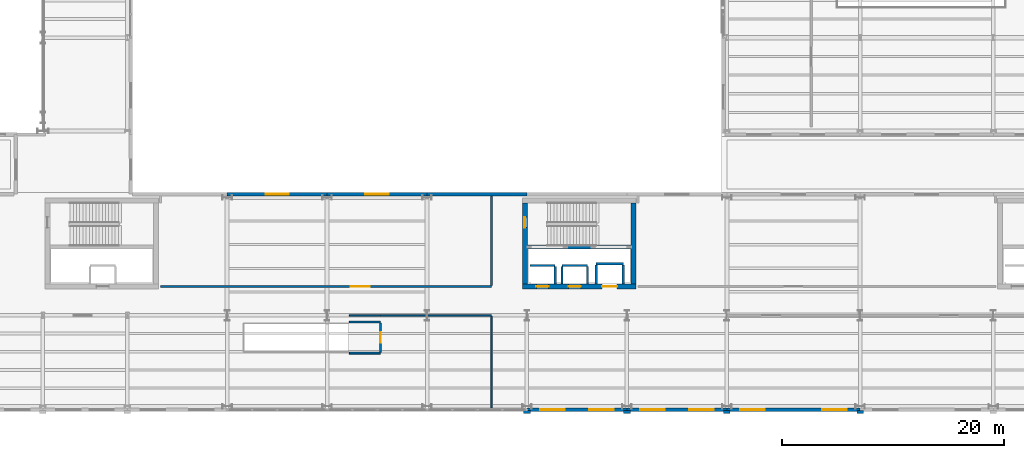
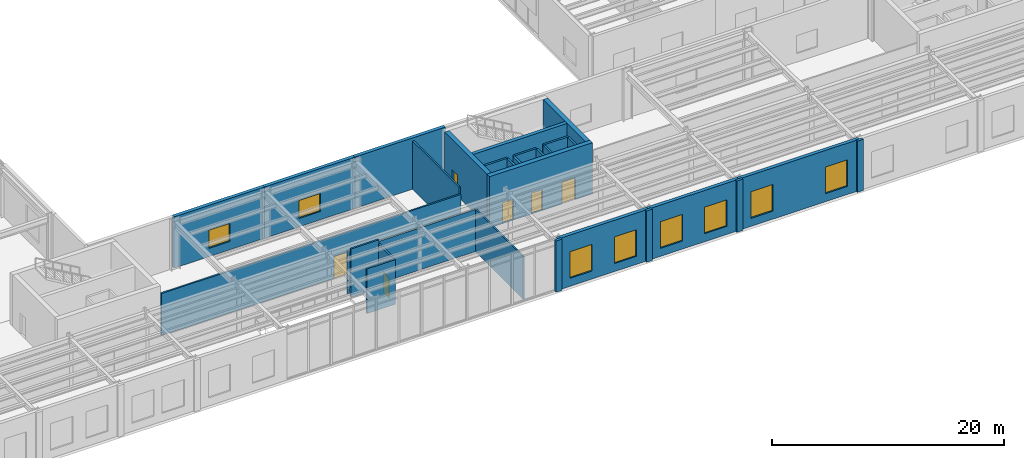
# One storey, part 76 of 98: 30 walls, 8 windows, 6 doors, 14 openings.
"""IFC4 building model written with IfcOpenShell, lengths in metres."""

import ifcopenshell
import ifcopenshell.guid

model = None  # the IFC model being written
_history = None  # IfcOwnerHistory: only IFC2X3 demands one
_inside = {}  # id of a spatial element -> (the spatial element, [elements in it])
_under = {}  # id of a project, library or spatial element -> (it, [spatial elements below it])
_declared = {}  # id of a project -> (the project, [libraries it declares])
_typed = {}  # id of a type object -> (the type object, [elements of that type])
_made_of = {}  # id of a material, layer set ... -> (it, [elements and type objects made of it])


def new_model(schema):
    """Start an empty IFC model of exactly this schema.

    Asked for "IFC4X3", IfcOpenShell would pick the latest addendum, in which some entities
    have other attributes; the version numbers below select the first issue.
    IFC2X3 requires an IfcOwnerHistory on every rooted entity: one is made here for all.
    """
    global model, _history
    if schema == "IFC4X3":
        model = ifcopenshell.file(schema_version=(4, 3, 0, 0))
    else:
        model = ifcopenshell.file(schema=schema)
    _inside.clear()
    _under.clear()
    _declared.clear()
    _typed.clear()
    _made_of.clear()
    _history = None
    if model.schema == "IFC2X3":
        org = make("IfcOrganization", Name="unknown")
        user = make(
            "IfcPersonAndOrganization",
            ThePerson=make("IfcPerson", FamilyName="unknown"),
            TheOrganization=org,
        )
        app = make(
            "IfcApplication",
            ApplicationDeveloper=org,
            Version="unknown",
            ApplicationFullName="unknown",
            ApplicationIdentifier="unknown",
        )
        _history = make(
            "IfcOwnerHistory",
            OwningUser=user,
            OwningApplication=app,
            ChangeAction="ADDED",
            CreationDate=0,
        )
    return model


def make(cls, **values):
    """One entity of the class cls with the attributes given. An attribute that is None is left unset."""
    return model.create_entity(
        cls, **{name: value for name, value in values.items() if value is not None}
    )


def rooted(cls, **values):
    """An entity with a GlobalId (a new one), such as an element, a storey or a relation."""
    return make(cls, GlobalId=ifcopenshell.guid.new(), OwnerHistory=_history, **values)


def si_unit(unit_type, name, prefix=None):
    """IfcSIUnit, for example si_unit("LENGTHUNIT", "METRE", prefix="MILLI")."""
    return make("IfcSIUnit", UnitType=unit_type, Prefix=prefix, Name=name)


def assignment(units):
    """IfcUnitAssignment: the units of a project."""
    return None if units is None else make("IfcUnitAssignment", Units=units)


def point(xyz):
    """IfcCartesianPoint."""
    return None if xyz is None else make("IfcCartesianPoint", Coordinates=xyz)


def direction(xyz):
    """IfcDirection."""
    return None if xyz is None else make("IfcDirection", DirectionRatios=xyz)


def frame(location, z_axis=None, x_axis=None):
    """IfcAxis2Placement3D, a coordinate frame: its origin and axes. An axis left out is left unset."""
    return make(
        "IfcAxis2Placement3D",
        Location=point(location),
        Axis=direction(z_axis),
        RefDirection=direction(x_axis),
    )


def frame_2d(location, x_axis=None):
    """IfcAxis2Placement2D, a coordinate frame in the plane: its origin and x axis."""
    return make(
        "IfcAxis2Placement2D", Location=point(location), RefDirection=direction(x_axis)
    )


def origin():
    """The frame at (0, 0, 0) with its axes left unset."""
    return frame((0.0, 0.0, 0.0))


def place(relative_to, where):
    """IfcLocalPlacement: puts the frame where relative to a parent placement (None: the world)."""
    return make(
        "IfcLocalPlacement", PlacementRelTo=relative_to, RelativePlacement=where
    )


def context(
    kind, dimensions, precision=None, world=None, true_north=None, identifier=None
):
    """IfcGeometricRepresentationContext, for example the 3D "Model" context."""
    return make(
        "IfcGeometricRepresentationContext",
        ContextIdentifier=identifier,
        ContextType=kind,
        CoordinateSpaceDimension=dimensions,
        Precision=precision,
        WorldCoordinateSystem=world,
        TrueNorth=true_north,
    )


def subcontext(parent, identifier, kind, view, scale=None):
    """IfcGeometricRepresentationSubContext, for example "Body" below "Model"."""
    return make(
        "IfcGeometricRepresentationSubContext",
        ContextIdentifier=identifier,
        ContextType=kind,
        ParentContext=parent,
        TargetScale=scale,
        TargetView=view,
    )


def project(units=None, contexts=None):
    """IfcProject with its units and contexts."""
    return rooted(
        "IfcProject",
        Name="project",
        RepresentationContexts=contexts,
        UnitsInContext=assignment(units),
    )


def spatial(cls, under=None, at=None, **own):
    """A site, building, storey or space (cls), placed at a placement, below another one or the project."""
    s = rooted(cls, ObjectPlacement=at, **own)
    if under is not None:
        _under.setdefault(under.id(), (under, []))[1].append(s)
    return s


def profile(cls, at=None, kind="AREA", **sizes):
    """A parametric profile (cls). Its sizes go by their IFC names, for example OverallWidth=200.0."""
    return make(cls, ProfileType=kind, Position=at, **sizes)


def rectangle(**sizes):
    """IfcRectangleProfileDef."""
    return profile("IfcRectangleProfileDef", **sizes)


def extrude(swept, where, along, depth):
    """IfcExtrudedAreaSolid: the profile swept, set in the frame where, extruded along a direction by depth."""
    return make(
        "IfcExtrudedAreaSolid",
        SweptArea=swept,
        Position=where,
        ExtrudedDirection=direction(along),
        Depth=depth,
    )


def shape(context_of_items, identifier, shape_type, items):
    """IfcShapeRepresentation: the items that make up one representation, for example the "Body"."""
    return make(
        "IfcShapeRepresentation",
        ContextOfItems=context_of_items,
        RepresentationIdentifier=identifier,
        RepresentationType=shape_type,
        Items=items,
    )


def material(Name=None, Category=None):
    """IfcMaterial."""
    return make("IfcMaterial", Name=Name, Category=Category)


def layer(
    of_material, thickness, ventilated=None, Name=None, Category=None, Priority=None
):
    """IfcMaterialLayer: one layer of a wall or slab, of a material (None: an air gap)."""
    return make(
        "IfcMaterialLayer",
        Material=of_material,
        LayerThickness=thickness,
        IsVentilated=ventilated,
        Name=Name,
        Category=Category,
        Priority=Priority,
    )


def layer_set(layers, Name=None):
    """IfcMaterialLayerSet."""
    return make("IfcMaterialLayerSet", MaterialLayers=layers, LayerSetName=Name)


def made_of(thing, what):
    """Note that an element or type object is made of a material, layer set ...; save() writes the relation."""
    if what is not None:
        _made_of.setdefault(what.id(), (what, []))[1].append(thing)
    return thing


def type_object(cls, material=None, **own):
    """A type object (cls), such as IfcWallType, which elements share."""
    return made_of(rooted(cls, **own), material)


def element(
    cls,
    number,
    at=None,
    inside=None,
    cuts=None,
    type_object=None,
    material=None,
    context=None,
    identifier="Body",
    shape_type=None,
    held_by="IfcProductDefinitionShape",
    body=None,
    shapes=None,
    **own,
):
    """One element of the class cls, such as IfcWall. Its Tag is "e" and its number.

    at: its placement. inside: the storey or other place that contains it. cuts: it is an
    opening in that element (IfcRelVoidsElement). A single representation is given by context,
    identifier, shape_type and body (its items); several are given by shapes. held_by: the class
    of the entity that holds the representations. save() writes the other relations.
    """
    e = rooted(cls, Tag="e%d" % number, ObjectPlacement=at, **own)
    if body is not None:
        shapes = [shape(context, identifier, shape_type, body)]
    if shapes is not None:
        e.Representation = make(held_by, Representations=shapes)
    if inside is not None:
        _inside.setdefault(inside.id(), (inside, []))[1].append(e)
    if cuts is not None:
        rooted(
            "IfcRelVoidsElement", RelatingBuildingElement=cuts, RelatedOpeningElement=e
        )
    if type_object is not None:
        _typed.setdefault(type_object.id(), (type_object, []))[1].append(e)
    return made_of(e, material)


def fill(opening, filler):
    """IfcRelFillsElement: the door or window that sits in an opening."""
    return rooted(
        "IfcRelFillsElement",
        RelatingOpeningElement=opening,
        RelatedBuildingElement=filler,
    )


def aggregate(whole, parts):
    """IfcRelAggregates: a whole, such as a stair, and the parts it consists of."""
    return rooted("IfcRelAggregates", RelatingObject=whole, RelatedObjects=parts)


def save(model, path):
    """Write the relations noted so far, then the file.

    IfcRelAggregates (storeys below a building ...), IfcRelContainedInSpatialStructure (elements
    in a storey), IfcRelDefinesByType, IfcRelAssociatesMaterial and IfcRelDeclares: one each for
    every whole, place, type object, material and project.
    """
    for whole, parts in _under.values():
        aggregate(whole, parts)
    for where, things in _inside.values():
        rooted(
            "IfcRelContainedInSpatialStructure",
            RelatedElements=things,
            RelatingStructure=where,
        )
    for kind, things in _typed.values():
        rooted("IfcRelDefinesByType", RelatedObjects=things, RelatingType=kind)
    for what, things in _made_of.values():
        rooted("IfcRelAssociatesMaterial", RelatedObjects=things, RelatingMaterial=what)
    for by, libraries in _declared.values():
        rooted("IfcRelDeclares", RelatingContext=by, RelatedDefinitions=libraries)
    model.write(path)


model = new_model("IFC4")

# Units and contexts
model_context = context("Model", 3, precision=1e-05, world=origin(), true_north=direction((0.0, 1.0)))
body_context = subcontext(model_context, "Body", "Model", "MODEL_VIEW")
ifc_project = project(units=[si_unit("LENGTHUNIT", "METRE"), si_unit("AREAUNIT", "SQUARE_METRE"), si_unit("VOLUMEUNIT", "CUBIC_METRE"), si_unit("PLANEANGLEUNIT", "RADIAN"), si_unit("MASSUNIT", "GRAM", prefix="KILO")], contexts=[model_context])

# Site, building, storey
site_placement = place(None, origin())
site = spatial("IfcSite", under=ifc_project, at=site_placement, CompositionType="ELEMENT")
building_placement = place(site_placement, origin())
building = spatial("IfcBuilding", under=site, at=building_placement, Name="Sollismere Congress Hotel", CompositionType="ELEMENT")
storey_placement = place(building_placement, frame((0.0, 0.0, 5.39990234375)))
storey = spatial("IfcBuildingStorey", under=building, at=storey_placement, Name="L01", CompositionType="ELEMENT", Elevation=5.39990234375)

# Wall, openings, windows
ifc_material_1 = material(Name="Colorado Buff Sandstone and Limestone Backup C40/50", Category="masonry")
ifc_layer_1 = layer(ifc_material_1, 0.340087890625, Name="Colorado Buff Sandstone and Limestone Backup C40/50")
ifc_layer_set_1 = layer_set([ifc_layer_1], Name="Colorado Buff Sandstone and Limestone Backup C40/50")
wall_type_1 = type_object("IfcWallType", Name="WL-EXT340", PredefinedType="STANDARD", material=ifc_layer_set_1)
wall_1_placement = place(storey_placement, frame((94.0, -0.31005859375, 0.0), z_axis=(0.0, 0.0, 1.0), x_axis=(1.0, 0.0, 0.0)))
wall_1 = element("IfcWall", 1, at=wall_1_placement, inside=storey, type_object=wall_type_1, Name="Exterior wall EW-L01-281", PredefinedType="STANDARD", context=body_context, shape_type="SweptSolid", body=[
    extrude(rectangle(XDim=9.0, YDim=0.340087890625, at=frame_2d((4.5, 0.0))), origin(), (0.0, 0.0, 1.0), 5.400146484375),
])
opening_1_placement = place(wall_1_placement, frame((1.199951171875, 0.0, 0.85009765625)))
opening_1 = element("IfcOpeningElement", 2, at=opening_1_placement, cuts=wall_1, Name="Opening W-L01-226", PredefinedType="OPENING", context=body_context, shape_type="SweptSolid", body=[
    extrude(rectangle(XDim=2.199951171875, YDim=2.800048828125, at=frame_2d((1.10009765625, 1.39990234375))), frame((0.0, 0.179931640625, 0.0), z_axis=(0.0, -1.0, 0.0), x_axis=(1.0, 0.0, 0.0)), (0.0, 0.0, 1.0), 0.360107421875),
])
opening_2_placement = place(wall_1_placement, frame((5.60009765625, 0.0, 0.85009765625)))
opening_2 = element("IfcOpeningElement", 3, at=opening_2_placement, cuts=wall_1, Name="Opening W-L01-227", PredefinedType="OPENING", context=body_context, shape_type="SweptSolid", body=[
    extrude(rectangle(XDim=2.199951171875, YDim=2.800048828125, at=frame_2d((1.10009765625, 1.39990234375))), frame((0.0, 0.179931640625, 0.0), z_axis=(0.0, -1.0, 0.0), x_axis=(1.0, 0.0, 0.0)), (0.0, 0.0, 1.0), 0.360107421875),
])
ifc_material_2 = material(Name="Thermally Broken Bronze Aluminum & Low-E Glass", Category="aluminium")
window_type_1 = type_object("IfcWindowType", Name="WN-A220x280", PartitioningType="SINGLE_PANEL", PredefinedType="WINDOW", material=ifc_material_2)
window_1_placement = place(opening_1_placement, origin())
window_1 = element("IfcWindow", 4, at=window_1_placement, inside=storey, type_object=window_type_1, Name="WIN-W-L01-226", OverallHeight=2.800048828125, OverallWidth=2.199951171875, PartitioningType="SINGLE_PANEL", PredefinedType="WINDOW", context=body_context, shape_type="SweptSolid", body=[
    extrude(rectangle(XDim=2.199951171875, YDim=2.800048828125, at=frame_2d((1.10009765625, 1.39990234375))), frame((0.0, 0.030029296875, 0.0), z_axis=(0.0, -1.0, 0.0), x_axis=(1.0, 0.0, 0.0)), (0.0, 0.0, 1.0), 0.06005859375),
])
fill(opening_1, window_1)
window_2_placement = place(opening_2_placement, origin())
window_2 = element("IfcWindow", 5, at=window_2_placement, inside=storey, type_object=window_type_1, Name="WIN-W-L01-227", OverallHeight=2.800048828125, OverallWidth=2.199951171875, PartitioningType="SINGLE_PANEL", PredefinedType="WINDOW", context=body_context, shape_type="SweptSolid", body=[
    extrude(rectangle(XDim=2.199951171875, YDim=2.800048828125, at=frame_2d((1.10009765625, 1.39990234375))), frame((0.0, 0.030029296875, 0.0), z_axis=(0.0, -1.0, 0.0), x_axis=(1.0, 0.0, 0.0)), (0.0, 0.0, 1.0), 0.06005859375),
])
fill(opening_2, window_2)

wall_2_placement = place(storey_placement, frame((103.0, -0.31005859375, 0.0), z_axis=(0.0, 0.0, 1.0), x_axis=(1.0, 0.0, 0.0)))
wall_2 = element("IfcWall", 6, at=wall_2_placement, inside=storey, type_object=wall_type_1, Name="Exterior wall EW-L01-283", PredefinedType="STANDARD", context=body_context, shape_type="SweptSolid", body=[
    extrude(rectangle(XDim=9.0, YDim=0.340087890625, at=frame_2d((4.5, 0.0))), origin(), (0.0, 0.0, 1.0), 5.400146484375),
])
opening_3_placement = place(wall_2_placement, frame((1.199951171875, 0.0, 0.85009765625)))
opening_3 = element("IfcOpeningElement", 7, at=opening_3_placement, cuts=wall_2, Name="Opening W-L01-228", PredefinedType="OPENING", context=body_context, shape_type="SweptSolid", body=[
    extrude(rectangle(XDim=2.199951171875, YDim=2.800048828125, at=frame_2d((1.10009765625, 1.39990234375))), frame((0.0, 0.179931640625, 0.0), z_axis=(0.0, -1.0, 0.0), x_axis=(1.0, 0.0, 0.0)), (0.0, 0.0, 1.0), 0.360107421875),
])
opening_4_placement = place(wall_2_placement, frame((5.60009765625, 0.0, 0.85009765625)))
opening_4 = element("IfcOpeningElement", 8, at=opening_4_placement, cuts=wall_2, Name="Opening W-L01-229", PredefinedType="OPENING", context=body_context, shape_type="SweptSolid", body=[
    extrude(rectangle(XDim=2.199951171875, YDim=2.800048828125, at=frame_2d((1.10009765625, 1.39990234375))), frame((0.0, 0.179931640625, 0.0), z_axis=(0.0, -1.0, 0.0), x_axis=(1.0, 0.0, 0.0)), (0.0, 0.0, 1.0), 0.360107421875),
])
window_3_placement = place(opening_3_placement, origin())
window_3 = element("IfcWindow", 9, at=window_3_placement, inside=storey, type_object=window_type_1, Name="WIN-W-L01-228", OverallHeight=2.800048828125, OverallWidth=2.199951171875, PartitioningType="SINGLE_PANEL", PredefinedType="WINDOW", context=body_context, shape_type="SweptSolid", body=[
    extrude(rectangle(XDim=2.199951171875, YDim=2.800048828125, at=frame_2d((1.10009765625, 1.39990234375))), frame((0.0, 0.030029296875, 0.0), z_axis=(0.0, -1.0, 0.0), x_axis=(1.0, 0.0, 0.0)), (0.0, 0.0, 1.0), 0.06005859375),
])
fill(opening_3, window_3)
window_4_placement = place(opening_4_placement, origin())
window_4 = element("IfcWindow", 10, at=window_4_placement, inside=storey, type_object=window_type_1, Name="WIN-W-L01-229", OverallHeight=2.800048828125, OverallWidth=2.199951171875, PartitioningType="SINGLE_PANEL", PredefinedType="WINDOW", context=body_context, shape_type="SweptSolid", body=[
    extrude(rectangle(XDim=2.199951171875, YDim=2.800048828125, at=frame_2d((1.10009765625, 1.39990234375))), frame((0.0, 0.030029296875, 0.0), z_axis=(0.0, -1.0, 0.0), x_axis=(1.0, 0.0, 0.0)), (0.0, 0.0, 1.0), 0.06005859375),
])
fill(opening_4, window_4)

wall_3_placement = place(storey_placement, frame((112.0, -0.31005859375, 0.0), z_axis=(0.0, 0.0, 1.0), x_axis=(1.0, 0.0, 0.0)))
wall_3 = element("IfcWall", 11, at=wall_3_placement, inside=storey, type_object=wall_type_1, Name="Exterior wall EW-L01-285", PredefinedType="STANDARD", context=body_context, shape_type="SweptSolid", body=[
    extrude(rectangle(XDim=12.0, YDim=0.340087890625, at=frame_2d((6.0, 0.0))), origin(), (0.0, 0.0, 1.0), 5.400146484375),
])
opening_5_placement = place(wall_3_placement, frame((1.199951171875, 0.0, 0.85009765625)))
opening_5 = element("IfcOpeningElement", 12, at=opening_5_placement, cuts=wall_3, Name="Opening W-L01-230", PredefinedType="OPENING", context=body_context, shape_type="SweptSolid", body=[
    extrude(rectangle(XDim=2.199951171875, YDim=2.800048828125, at=frame_2d((1.10009765625, 1.39990234375))), frame((0.0, 0.179931640625, 0.0), z_axis=(0.0, -1.0, 0.0), x_axis=(1.0, 0.0, 0.0)), (0.0, 0.0, 1.0), 0.360107421875),
])
opening_6_placement = place(wall_3_placement, frame((8.60009765625, 0.0, 0.85009765625)))
opening_6 = element("IfcOpeningElement", 13, at=opening_6_placement, cuts=wall_3, Name="Opening W-L01-231", PredefinedType="OPENING", context=body_context, shape_type="SweptSolid", body=[
    extrude(rectangle(XDim=2.199951171875, YDim=2.800048828125, at=frame_2d((1.10009765625, 1.39990234375))), frame((0.0, 0.179931640625, 0.0), z_axis=(0.0, -1.0, 0.0), x_axis=(1.0, 0.0, 0.0)), (0.0, 0.0, 1.0), 0.360107421875),
])
window_5_placement = place(opening_5_placement, origin())
window_5 = element("IfcWindow", 14, at=window_5_placement, inside=storey, type_object=window_type_1, Name="WIN-W-L01-230", OverallHeight=2.800048828125, OverallWidth=2.199951171875, PartitioningType="SINGLE_PANEL", PredefinedType="WINDOW", context=body_context, shape_type="SweptSolid", body=[
    extrude(rectangle(XDim=2.199951171875, YDim=2.800048828125, at=frame_2d((1.10009765625, 1.39990234375))), frame((0.0, 0.030029296875, 0.0), z_axis=(0.0, -1.0, 0.0), x_axis=(1.0, 0.0, 0.0)), (0.0, 0.0, 1.0), 0.06005859375),
])
fill(opening_5, window_5)
window_6_placement = place(opening_6_placement, origin())
window_6 = element("IfcWindow", 15, at=window_6_placement, inside=storey, type_object=window_type_1, Name="WIN-W-L01-231", OverallHeight=2.800048828125, OverallWidth=2.199951171875, PartitioningType="SINGLE_PANEL", PredefinedType="WINDOW", context=body_context, shape_type="SweptSolid", body=[
    extrude(rectangle(XDim=2.199951171875, YDim=2.800048828125, at=frame_2d((1.10009765625, 1.39990234375))), frame((0.0, 0.030029296875, 0.0), z_axis=(0.0, -1.0, 0.0), x_axis=(1.0, 0.0, 0.0)), (0.0, 0.0, 1.0), 0.06005859375),
])
fill(opening_6, window_6)

# Wall, opening, window
wall_4_placement = place(storey_placement, frame((76.0, 19.110107421875, 0.0), z_axis=(0.0, 0.0, 1.0), x_axis=(-1.0, 0.0, 0.0)))
wall_4 = element("IfcWall", 16, at=wall_4_placement, inside=storey, type_object=wall_type_1, Name="Exterior wall EW-L01-312", PredefinedType="STANDARD", context=body_context, shape_type="SweptSolid", body=[
    extrude(rectangle(XDim=9.0, YDim=0.340087890625, at=frame_2d((4.5, 0.0))), origin(), (0.0, 0.0, 1.0), 5.400146484375),
])
opening_7_placement = place(wall_4_placement, frame((3.449951171875, 0.0, 0.8798828125)))
opening_7 = element("IfcOpeningElement", 17, at=opening_7_placement, cuts=wall_4, Name="Opening W-L01-250", PredefinedType="OPENING", context=body_context, shape_type="SweptSolid", body=[
    extrude(rectangle(XDim=2.10009765625, YDim=1.89990234375, at=frame_2d((1.050048828125, 0.949951171875))), frame((0.0, 0.179931640625, 0.0), z_axis=(0.0, -1.0, 0.0), x_axis=(1.0, 0.0, 0.0)), (0.0, 0.0, 1.0), 0.360107421875),
])
window_type_2 = type_object("IfcWindowType", Name="WN-P210x190", PartitioningType="SINGLE_PANEL", PredefinedType="WINDOW", material=ifc_material_2)
window_7_placement = place(opening_7_placement, origin())
window_7 = element("IfcWindow", 18, at=window_7_placement, inside=storey, type_object=window_type_2, Name="WIN-W-L01-250", OverallHeight=1.89990234375, OverallWidth=2.10009765625, PartitioningType="SINGLE_PANEL", PredefinedType="WINDOW", context=body_context, shape_type="SweptSolid", body=[
    extrude(rectangle(XDim=2.10009765625, YDim=1.89990234375, at=frame_2d((1.050048828125, 0.949951171875))), frame((0.0, 0.030029296875, 0.0), z_axis=(0.0, -1.0, 0.0), x_axis=(1.0, 0.0, 0.0)), (0.0, 0.0, 1.0), 0.06005859375),
])
fill(opening_7, window_7)

wall_5_placement = place(storey_placement, frame((85.0, 19.110107421875, 0.0), z_axis=(0.0, 0.0, 1.0), x_axis=(-1.0, 0.0, 0.0)))
wall_5 = element("IfcWall", 19, at=wall_5_placement, inside=storey, type_object=wall_type_1, Name="Exterior wall EW-L01-313", PredefinedType="STANDARD", context=body_context, shape_type="SweptSolid", body=[
    extrude(rectangle(XDim=9.0, YDim=0.340087890625, at=frame_2d((4.5, 0.0))), origin(), (0.0, 0.0, 1.0), 5.400146484375),
])
opening_8_placement = place(wall_5_placement, frame((3.449951171875, 0.0, 0.8798828125)))
opening_8 = element("IfcOpeningElement", 20, at=opening_8_placement, cuts=wall_5, Name="Opening W-L01-251", PredefinedType="OPENING", context=body_context, shape_type="SweptSolid", body=[
    extrude(rectangle(XDim=2.10009765625, YDim=1.89990234375, at=frame_2d((1.050048828125, 0.949951171875))), frame((0.0, 0.179931640625, 0.0), z_axis=(0.0, -1.0, 0.0), x_axis=(1.0, 0.0, 0.0)), (0.0, 0.0, 1.0), 0.360107421875),
])
window_8_placement = place(opening_8_placement, origin())
window_8 = element("IfcWindow", 21, at=window_8_placement, inside=storey, type_object=window_type_2, Name="WIN-W-L01-251", OverallHeight=1.89990234375, OverallWidth=2.10009765625, PartitioningType="SINGLE_PANEL", PredefinedType="WINDOW", context=body_context, shape_type="SweptSolid", body=[
    extrude(rectangle(XDim=2.10009765625, YDim=1.89990234375, at=frame_2d((1.050048828125, 0.949951171875))), frame((0.0, 0.030029296875, 0.0), z_axis=(0.0, -1.0, 0.0), x_axis=(1.0, 0.0, 0.0)), (0.0, 0.0, 1.0), 0.06005859375),
])
fill(opening_8, window_8)

# Walls
wall_6_placement = place(storey_placement, frame((94.0, 19.110107421875, 0.0), z_axis=(0.0, 0.0, 1.0), x_axis=(-1.0, 0.0, 0.0)))
element("IfcWall", 22, at=wall_6_placement, inside=storey, type_object=wall_type_1, Name="Exterior wall EW-L01-314", PredefinedType="STANDARD", context=body_context, shape_type="SweptSolid", body=[
    extrude(rectangle(XDim=9.0, YDim=0.340087890625, at=frame_2d((4.5, 0.0))), origin(), (0.0, 0.0, 1.0), 5.400146484375),
])
ifc_material_3 = material(Name="Carved Travertine Pilaster & Frieze Assembly", Category="masonry")
ifc_layer_2 = layer(ifc_material_3, 0.260009765625, Name="Carved Travertine Pilaster & Frieze Assembly")
ifc_layer_set_2 = layer_set([ifc_layer_2], Name="Carved Travertine Pilaster & Frieze Assembly")
wall_type_2 = type_object("IfcWallType", Name="WL-PIL280", PredefinedType="ELEMENTEDWALL", material=ifc_layer_set_2)
for number, where, z_axis, x_axis, name in (
    (23, (93.699951171875, -0.52001953125, 0.0), (0.0, 0.0, 1.0), (1.0, 0.0, 0.0), "Exterior wall EW-L01-282"),
    (24, (102.699951171875, -0.52001953125, 0.0), (0.0, 0.0, 1.0), (1.0, 0.0, 0.0), "Exterior wall EW-L01-284"),
    (25, (111.699951171875, -0.52001953125, 0.0), (0.0, 0.0, 1.0), (1.0, 0.0, 0.0), "Exterior wall EW-L01-286"),
    (26, (123.699951171875, -0.52001953125, 0.0), (0.0, 0.0, 1.0), (1.0, 0.0, 0.0), "Exterior wall EW-L01-288"),
):
    element("IfcWall", number, at=place(storey_placement, frame(where, z_axis=z_axis, x_axis=x_axis)), inside=storey, type_object=wall_type_2, Name=name, PredefinedType="ELEMENTEDWALL", context=body_context, shape_type="SweptSolid", body=[
        extrude(rectangle(XDim=0.60009765625, YDim=0.260009765625, at=frame_2d((0.300048828125, 0.0))), origin(), (0.0, 0.0, 1.0), 5.400146484375),
    ])
ifc_material_4 = material(Name="Moisture-Resistant Shaft Gypsum Assembly")
ifc_layer_3 = layer(ifc_material_4, 0.199951171875, Name="Moisture-Resistant Shaft Gypsum Assembly")
ifc_layer_set_3 = layer_set([ifc_layer_3], Name="Moisture-Resistant Shaft Gypsum Assembly")
wall_type_3 = type_object("IfcWallType", Name="WL-PLM200", PredefinedType="PLUMBINGWALL", material=ifc_layer_set_3)
wall_7_placement = place(storey_placement, frame((94.2548828125, 12.68994140625, 0.0), z_axis=(0.0, 0.0, 1.0), x_axis=(1.0, 0.0, 0.0)))
element("IfcWall", 27, at=wall_7_placement, inside=storey, type_object=wall_type_3, Name="Interior wall IW-L01-0240", PredefinedType="PLUMBINGWALL", context=body_context, shape_type="SweptSolid", body=[
    extrude(rectangle(XDim=2.2900390625, YDim=0.199951171875, at=frame_2d((1.14501953125, 0.0))), origin(), (0.0, 0.0, 1.0), 5.09521484375),
])
wall_8_placement = place(storey_placement, frame((96.544921875, 11.037109375, 0.0), z_axis=(0.0, 0.0, 1.0), x_axis=(0.0, 1.0, 0.0)))
element("IfcWall", 28, at=wall_8_placement, inside=storey, type_object=wall_type_3, Name="Interior wall IW-L01-0241", PredefinedType="PLUMBINGWALL", context=body_context, shape_type="SweptSolid", body=[
    extrude(rectangle(XDim=1.540771484375, YDim=0.199951171875, at=frame_2d((0.7705078125, 0.0))), origin(), (0.0, 0.0, 1.0), 5.09521484375),
])
wall_9_placement = place(storey_placement, frame((97.155029296875, 12.68994140625, 0.0), z_axis=(0.0, 0.0, 1.0), x_axis=(1.0, 0.0, 0.0)))
element("IfcWall", 29, at=wall_9_placement, inside=storey, type_object=wall_type_3, Name="Interior wall IW-L01-0242", PredefinedType="PLUMBINGWALL", context=body_context, shape_type="SweptSolid", body=[
    extrude(rectangle(XDim=2.2900390625, YDim=0.199951171875, at=frame_2d((1.14501953125, 0.0))), origin(), (0.0, 0.0, 1.0), 5.09521484375),
])
for number, where, z_axis, x_axis, name in (
    (30, (97.155029296875, 11.037109375, 0.0), (0.0, 0.0, 1.0), (0.0, 1.0, 0.0), "Interior wall IW-L01-0243"),
    (31, (99.445068359375, 11.037109375, 0.0), (0.0, 0.0, 1.0), (0.0, 1.0, 0.0), "Interior wall IW-L01-0244"),
):
    element("IfcWall", number, at=place(storey_placement, frame(where, z_axis=z_axis, x_axis=x_axis)), inside=storey, type_object=wall_type_3, Name=name, PredefinedType="PLUMBINGWALL", context=body_context, shape_type="SweptSolid", body=[
        extrude(rectangle(XDim=1.540771484375, YDim=0.199951171875, at=frame_2d((0.7705078125, 0.0))), origin(), (0.0, 0.0, 1.0), 5.09521484375),
    ])
wall_10_placement = place(storey_placement, frame((100.22998046875, 12.844970703125, 0.0), z_axis=(0.0, 0.0, 1.0), x_axis=(1.0, 0.0, 0.0)))
element("IfcWall", 32, at=wall_10_placement, inside=storey, type_object=wall_type_3, Name="Interior wall IW-L01-0245", PredefinedType="PLUMBINGWALL", context=body_context, shape_type="SweptSolid", body=[
    extrude(rectangle(XDim=2.43994140625, YDim=0.199951171875, at=frame_2d((1.219970703125, 0.0))), origin(), (0.0, 0.0, 1.0), 5.09521484375),
])
for number, where, z_axis, x_axis, name in (
    (33, (100.22998046875, 11.037109375, 0.0), (0.0, 0.0, 1.0), (0.0, 1.0, 0.0), "Interior wall IW-L01-0246"),
    (34, (102.669921875, 11.037109375, 0.0), (0.0, 0.0, 1.0), (0.0, 1.0, 0.0), "Interior wall IW-L01-0247"),
):
    element("IfcWall", number, at=place(storey_placement, frame(where, z_axis=z_axis, x_axis=x_axis)), inside=storey, type_object=wall_type_3, Name=name, PredefinedType="PLUMBINGWALL", context=body_context, shape_type="SweptSolid", body=[
        extrude(rectangle(XDim=1.69580078125, YDim=0.199951171875, at=frame_2d((0.847900390625, 0.0))), origin(), (0.0, 0.0, 1.0), 5.09521484375),
    ])
ifc_material_5 = material(Name="Fire-Rated Gypsum Partition")
ifc_layer_4 = layer(ifc_material_5, 0.139892578125, Name="Fire-Rated Gypsum Partition")
ifc_layer_set_4 = layer_set([ifc_layer_4], Name="Fire-Rated Gypsum Partition")
wall_type_4 = type_object("IfcWallType", Name="WL-PRT140R", PredefinedType="PARTITIONING", material=ifc_layer_set_4)
wall_11_placement = place(storey_placement, frame((78.0, 8.199951171875, 0.0), z_axis=(0.0, 0.0, 1.0), x_axis=(1.0, 0.0, 0.0)))
element("IfcWall", 35, at=wall_11_placement, inside=storey, type_object=wall_type_4, Name="Interior wall IW-L01-0846", PredefinedType="PARTITIONING", context=body_context, shape_type="SweptSolid", body=[
    extrude(rectangle(XDim=2.800048828125, YDim=0.139892578125, at=frame_2d((1.39990234375, 0.0))), origin(), (0.0, 0.0, 1.0), 4.508056640625),
])
wall_12_placement = place(storey_placement, frame((80.800048828125, 8.199951171875, 0.0), z_axis=(0.0, 0.0, 1.0), x_axis=(1.0, 0.0, 0.0)))
element("IfcWall", 36, at=wall_12_placement, inside=storey, type_object=wall_type_4, Name="Interior wall IW-L01-0847", PredefinedType="PARTITIONING", context=body_context, shape_type="SweptSolid", body=[
    extrude(rectangle(XDim=10.0, YDim=0.139892578125, at=frame_2d((5.0, 0.0))), origin(), (0.0, 0.0, 1.0), 4.424072265625),
])
wall_13_placement = place(storey_placement, frame((90.800048828125, -0.139892578125, 0.0), z_axis=(0.0, 0.0, 1.0), x_axis=(0.0, 1.0, 0.0)))
element("IfcWall", 37, at=wall_13_placement, inside=storey, type_object=wall_type_4, Name="Interior wall IW-L01-0914", PredefinedType="PARTITIONING", context=body_context, shape_type="SweptSolid", body=[
    extrude(rectangle(XDim=8.2578125, YDim=0.139892578125, at=frame_2d((4.12890625, 0.0))), origin(), (0.0, 0.0, 1.0), 4.485107421875),
])
ifc_material_6 = material(Name="Fire-Rated Acoustic Gypsum Partition")
ifc_layer_5 = layer(ifc_material_6, 0.1650390625, Name="Fire-Rated Acoustic Gypsum Partition")
ifc_layer_set_5 = layer_set([ifc_layer_5], Name="Fire-Rated Acoustic Gypsum Partition")
wall_type_5 = type_object("IfcWallType", Name="WL-PRT165R", PredefinedType="PARTITIONING", material=ifc_layer_set_5)
wall_14_placement = place(storey_placement, frame((78.0, 4.800048828125, 0.0), z_axis=(0.0, 0.0, 1.0), x_axis=(1.0, 0.0, 0.0)))
element("IfcWall", 38, at=wall_14_placement, inside=storey, type_object=wall_type_5, Name="Interior wall IW-L01-0843", PredefinedType="PARTITIONING", context=body_context, shape_type="SweptSolid", body=[
    extrude(rectangle(XDim=2.800048828125, YDim=0.1650390625, at=frame_2d((1.39990234375, 0.0))), origin(), (0.0, 0.0, 1.0), 4.703125),
])
wall_15_placement = place(storey_placement, frame((78.0, 7.60009765625, 0.0), z_axis=(0.0, 0.0, 1.0), x_axis=(1.0, 0.0, 0.0)))
element("IfcWall", 39, at=wall_15_placement, inside=storey, type_object=wall_type_5, Name="Interior wall IW-L01-0844", PredefinedType="PARTITIONING", context=body_context, shape_type="SweptSolid", body=[
    extrude(rectangle(XDim=2.800048828125, YDim=0.1650390625, at=frame_2d((1.39990234375, 0.0))), origin(), (0.0, 0.0, 1.0), 5.09521484375),
])

# Wall, opening, door
wall_16_placement = place(storey_placement, frame((61.0, 10.800048828125, 0.0), z_axis=(0.0, 0.0, 1.0), x_axis=(1.0, 0.0, 0.0)))
wall_16 = element("IfcWall", 40, at=wall_16_placement, inside=storey, type_object=wall_type_5, Name="Interior wall IW-L01-0849", PredefinedType="PARTITIONING", context=body_context, shape_type="SweptSolid", body=[
    extrude(rectangle(XDim=29.800048828125, YDim=0.1650390625, at=frame_2d((14.89990234375, 0.0))), origin(), (0.0, 0.0, 1.0), 4.424072265625),
])
opening_9_placement = place(wall_16_placement, frame((17.14990234375, 0.0, 0.0)))
opening_9 = element("IfcOpeningElement", 41, at=opening_9_placement, cuts=wall_16, Name="Opening D-L01-0298", PredefinedType="OPENING", context=body_context, shape_type="SweptSolid", body=[
    extrude(rectangle(XDim=1.699951171875, YDim=2.300048828125, at=frame_2d((0.85009765625, 1.14990234375))), frame((0.0, 0.092529296875, 0.0), z_axis=(0.0, -1.0, 0.0), x_axis=(1.0, 0.0, 0.0)), (0.0, 0.0, 1.0), 0.18505859375),
])
ifc_material_7 = material(Name="Stainless Double Banquet Kitchen Door")
door_type_1 = type_object("IfcDoorType", Name="DR-KT170", OperationType="NOTDEFINED", PredefinedType="DOOR", material=ifc_material_7)
door_1_placement = place(opening_9_placement, origin())
door_1 = element("IfcDoor", 42, at=door_1_placement, inside=storey, type_object=door_type_1, Name="Interior door D-L01-0298", OperationType="DOUBLE_DOOR_SINGLE_SWING", OverallHeight=2.300048828125, OverallWidth=1.699951171875, PredefinedType="DOOR", context=body_context, shape_type="SweptSolid", body=[
    extrude(rectangle(XDim=1.699951171875, YDim=2.300048828125, at=frame_2d((0.85009765625, 1.14990234375))), frame((0.0, 0.02490234375, 0.0), z_axis=(0.0, -1.0, 0.0), x_axis=(1.0, 0.0, 0.0)), (0.0, 0.0, 1.0), 0.050048828125),
])
fill(opening_9, door_1)

wall_17_placement = place(storey_placement, frame((80.800048828125, 4.89453125, 0.0), z_axis=(0.0, 0.0, 1.0), x_axis=(0.0, 1.0, 0.0)))
wall_17 = element("IfcWall", 43, at=wall_17_placement, inside=storey, type_object=wall_type_5, Name="Interior wall IW-L01-0912", PredefinedType="PARTITIONING", context=body_context, shape_type="SweptSolid", body=[
    extrude(rectangle(XDim=2.611083984375, YDim=0.1650390625, at=frame_2d((1.3056640625, 0.0))), origin(), (0.0, 0.0, 1.0), 4.703125),
])
opening_10_placement = place(wall_17_placement, frame((0.8310546875, 0.0, 0.0)))
opening_10 = element("IfcOpeningElement", 44, at=opening_10_placement, cuts=wall_17, Name="Opening D-L01-0316", PredefinedType="OPENING", context=body_context, shape_type="SweptSolid", body=[
    extrude(rectangle(XDim=0.949951171875, YDim=2.14990234375, at=frame_2d((0.47509765625, 1.074951171875))), frame((0.0, 0.092529296875, 0.0), z_axis=(0.0, -1.0, 0.0), x_axis=(1.0, 0.0, 0.0)), (0.0, 0.0, 1.0), 0.18505859375),
])
ifc_material_8 = material(Name="Solid-Core Acoustic Walnut Guestroom Entry Door")
door_type_2 = type_object("IfcDoorType", Name="DR-KY02", OperationType="NOTDEFINED", PredefinedType="DOOR", material=ifc_material_8)
door_2_placement = place(opening_10_placement, origin())
door_2 = element("IfcDoor", 45, at=door_2_placement, inside=storey, type_object=door_type_2, Name="Interior door D-L01-0316", OperationType="SINGLE_SWING_LEFT", OverallHeight=2.14990234375, OverallWidth=0.949951171875, PredefinedType="DOOR", context=body_context, shape_type="SweptSolid", body=[
    extrude(rectangle(XDim=0.949951171875, YDim=2.14990234375, at=frame_2d((0.47509765625, 1.074951171875))), frame((0.0, 0.02490234375, 0.0), z_axis=(0.0, -1.0, 0.0), x_axis=(1.0, 0.0, 0.0)), (0.0, 0.0, 1.0), 0.050048828125),
])
fill(opening_10, door_2)

# Walls
wall_18_placement = place(storey_placement, frame((90.800048828125, 10.89453125, 0.0), z_axis=(0.0, 0.0, 1.0), x_axis=(0.0, 1.0, 0.0)))
element("IfcWall", 46, at=wall_18_placement, inside=storey, type_object=wall_type_5, Name="Interior wall IW-L01-0915", PredefinedType="PARTITIONING", context=body_context, shape_type="SweptSolid", body=[
    extrude(rectangle(XDim=8.030517578125, YDim=0.1650390625, at=frame_2d((4.01513671875, 0.0))), origin(), (0.0, 0.0, 1.0), 5.09521484375),
])
ifc_material_9 = material(Name="Concrete C50/60", Category="concrete")
ifc_layer_6 = layer(ifc_material_9, 0.35009765625, Name="Concrete C50/60")
ifc_layer_set_6 = layer_set([ifc_layer_6], Name="Concrete C50/60")
wall_type_6 = type_object("IfcWallType", Name="WL-SHR350", PredefinedType="SHEAR", material=ifc_layer_set_6)
wall_19_placement = place(storey_placement, frame((94.02490234375, 14.35009765625, 0.0), z_axis=(0.0, 0.0, 1.0), x_axis=(1.0, 0.0, 0.0)))
element("IfcWall", 47, at=wall_19_placement, inside=storey, type_object=wall_type_6, Name="Interior wall IW-L01-0239", PredefinedType="SHEAR", context=body_context, shape_type="SweptSolid", body=[
    extrude(rectangle(XDim=9.35009765625, YDim=0.35009765625, at=frame_2d((4.675048828125, 0.0))), origin(), (0.0, 0.0, 1.0), 5.400146484375),
])

# Wall, openings, doors
ifc_layer_7 = layer(ifc_material_9, 0.449951171875, Name="Concrete C50/60")
ifc_layer_set_7 = layer_set([ifc_layer_7], Name="Concrete C50/60")
wall_type_7 = type_object("IfcWallType", Name="WL-SHR450", PredefinedType="SHEAR", material=ifc_layer_set_7)
wall_20_placement = place(storey_placement, frame((93.574951171875, 10.800048828125, 0.0), z_axis=(0.0, 0.0, 1.0), x_axis=(1.0, 0.0, 0.0)))
wall_20 = element("IfcWall", 48, at=wall_20_placement, inside=storey, type_object=wall_type_7, Name="Interior wall IW-L01-0235", PredefinedType="SHEAR", context=body_context, shape_type="SweptSolid", body=[
    extrude(rectangle(XDim=10.25, YDim=0.449951171875, at=frame_2d((5.125, 0.0))), origin(), (0.0, 0.0, 1.0), 5.400146484375),
])
opening_11_placement = place(wall_20_placement, frame((1.27490234375, 0.0, 0.0)))
opening_11 = element("IfcOpeningElement", 49, at=opening_11_placement, cuts=wall_20, Name="Opening LD-LP-03-L01", PredefinedType="OPENING", context=body_context, shape_type="SweptSolid", body=[
    extrude(rectangle(XDim=1.10009765625, YDim=2.199951171875, at=frame_2d((0.550048828125, 1.10009765625))), frame((0.0, 0.23486328125, 0.0), z_axis=(0.0, -1.0, 0.0), x_axis=(1.0, 0.0, 0.0)), (0.0, 0.0, 1.0), 0.469970703125),
])
opening_12_placement = place(wall_20_placement, frame((4.175048828125, 0.0, 0.0)))
opening_12 = element("IfcOpeningElement", 50, at=opening_12_placement, cuts=wall_20, Name="Opening LD-LP-04-L01", PredefinedType="OPENING", context=body_context, shape_type="SweptSolid", body=[
    extrude(rectangle(XDim=1.10009765625, YDim=2.199951171875, at=frame_2d((0.550048828125, 1.10009765625))), frame((0.0, 0.23486328125, 0.0), z_axis=(0.0, -1.0, 0.0), x_axis=(1.0, 0.0, 0.0)), (0.0, 0.0, 1.0), 0.469970703125),
])
opening_13_placement = place(wall_20_placement, frame((7.199951171875, 0.0, 0.0)))
opening_13 = element("IfcOpeningElement", 51, at=opening_13_placement, cuts=wall_20, Name="Opening LD-LS-01-L01", PredefinedType="OPENING", context=body_context, shape_type="SweptSolid", body=[
    extrude(rectangle(XDim=1.35009765625, YDim=2.300048828125, at=frame_2d((0.675048828125, 1.14990234375))), frame((0.0, 0.23486328125, 0.0), z_axis=(0.0, -1.0, 0.0), x_axis=(1.0, 0.0, 0.0)), (0.0, 0.0, 1.0), 0.469970703125),
])
ifc_material_10 = material(Name="Brushed Bronze Sliding Elevator Landing Door")
door_type_3 = type_object("IfcDoorType", Name="DR-LD110", OperationType="NOTDEFINED", PredefinedType="DOOR", material=ifc_material_10)
door_3_placement = place(opening_11_placement, origin())
door_3 = element("IfcDoor", 52, at=door_3_placement, inside=storey, type_object=door_type_3, Name="Elevator landing door LD-LP-03-L01", OperationType="SLIDING_TO_LEFT", OverallHeight=2.199951171875, OverallWidth=1.10009765625, PredefinedType="DOOR", context=body_context, shape_type="SweptSolid", body=[
    extrude(rectangle(XDim=1.10009765625, YDim=2.199951171875, at=frame_2d((0.550048828125, 1.10009765625))), frame((0.0, 0.02490234375, 0.0), z_axis=(0.0, -1.0, 0.0), x_axis=(1.0, 0.0, 0.0)), (0.0, 0.0, 1.0), 0.050048828125),
])
fill(opening_11, door_3)
door_4_placement = place(opening_12_placement, origin())
door_4 = element("IfcDoor", 53, at=door_4_placement, inside=storey, type_object=door_type_3, Name="Elevator landing door LD-LP-04-L01", OperationType="SLIDING_TO_RIGHT", OverallHeight=2.199951171875, OverallWidth=1.10009765625, PredefinedType="DOOR", context=body_context, shape_type="SweptSolid", body=[
    extrude(rectangle(XDim=1.10009765625, YDim=2.199951171875, at=frame_2d((0.550048828125, 1.10009765625))), frame((0.0, 0.02490234375, 0.0), z_axis=(0.0, -1.0, 0.0), x_axis=(1.0, 0.0, 0.0)), (0.0, 0.0, 1.0), 0.050048828125),
])
fill(opening_12, door_4)
ifc_material_11 = material(Name="Heavy-Duty Stainless Sliding Service Landing Door")
door_type_4 = type_object("IfcDoorType", Name="DR-LD135", OperationType="NOTDEFINED", PredefinedType="DOOR", material=ifc_material_11)
door_5_placement = place(opening_13_placement, origin())
door_5 = element("IfcDoor", 54, at=door_5_placement, inside=storey, type_object=door_type_4, Name="Elevator landing door LD-LS-01-L01", OperationType="SLIDING_TO_LEFT", OverallHeight=2.300048828125, OverallWidth=1.35009765625, PredefinedType="DOOR", context=body_context, shape_type="SweptSolid", body=[
    extrude(rectangle(XDim=1.35009765625, YDim=2.300048828125, at=frame_2d((0.675048828125, 1.14990234375))), frame((0.0, 0.02490234375, 0.0), z_axis=(0.0, -1.0, 0.0), x_axis=(1.0, 0.0, 0.0)), (0.0, 0.0, 1.0), 0.050048828125),
])
fill(opening_13, door_5)

# Wall, opening, door
wall_21_placement = place(storey_placement, frame((93.800048828125, 18.324951171875, 0.0), z_axis=(0.0, 0.0, 1.0), x_axis=(0.0, -1.0, 0.0)))
wall_21 = element("IfcWall", 55, at=wall_21_placement, inside=storey, type_object=wall_type_7, Name="Interior wall IW-L01-0237", PredefinedType="SHEAR", context=body_context, shape_type="SweptSolid", body=[
    extrude(rectangle(XDim=7.300048828125, YDim=0.449951171875, at=frame_2d((3.64990234375, 0.0))), origin(), (0.0, 0.0, 1.0), 5.400146484375),
])
opening_14_placement = place(wall_21_placement, frame((1.27490234375, 0.0, 0.0)))
opening_14 = element("IfcOpeningElement", 56, at=opening_14_placement, cuts=wall_21, Name="Opening D-ST-02-L01", PredefinedType="OPENING", context=body_context, shape_type="SweptSolid", body=[
    extrude(rectangle(XDim=0.949951171875, YDim=2.199951171875, at=frame_2d((0.47509765625, 1.10009765625))), frame((0.0, 0.23486328125, 0.0), z_axis=(0.0, -1.0, 0.0), x_axis=(1.0, 0.0, 0.0)), (0.0, 0.0, 1.0), 0.469970703125),
])
ifc_material_12 = material(Name="Fire-Rated Insulated Steel Door", Category="steel")
door_type_5 = type_object("IfcDoorType", Name="DR-FD90", OperationType="NOTDEFINED", PredefinedType="DOOR", material=ifc_material_12)
door_6_placement = place(opening_14_placement, origin())
door_6 = element("IfcDoor", 57, at=door_6_placement, inside=storey, type_object=door_type_5, Name="Exit stair fire door D-ST-02-L01", OperationType="SINGLE_SWING_RIGHT", OverallHeight=2.199951171875, OverallWidth=0.949951171875, PredefinedType="DOOR", context=body_context, shape_type="SweptSolid", body=[
    extrude(rectangle(XDim=0.949951171875, YDim=2.199951171875, at=frame_2d((0.47509765625, 1.10009765625))), frame((0.0, 0.02490234375, 0.0), z_axis=(0.0, -1.0, 0.0), x_axis=(1.0, 0.0, 0.0)), (0.0, 0.0, 1.0), 0.050048828125),
])
fill(opening_14, door_6)

# Wall
wall_22_placement = place(storey_placement, frame((103.60009765625, 11.02490234375, 0.0), z_axis=(0.0, 0.0, 1.0), x_axis=(0.0, 1.0, 0.0)))
element("IfcWall", 58, at=wall_22_placement, inside=storey, type_object=wall_type_7, Name="Interior wall IW-L01-0238", PredefinedType="SHEAR", context=body_context, shape_type="SweptSolid", body=[
    extrude(rectangle(XDim=7.300048828125, YDim=0.449951171875, at=frame_2d((3.64990234375, 0.0))), origin(), (0.0, 0.0, 1.0), 5.400146484375),
])

save(model, "model.ifc")
